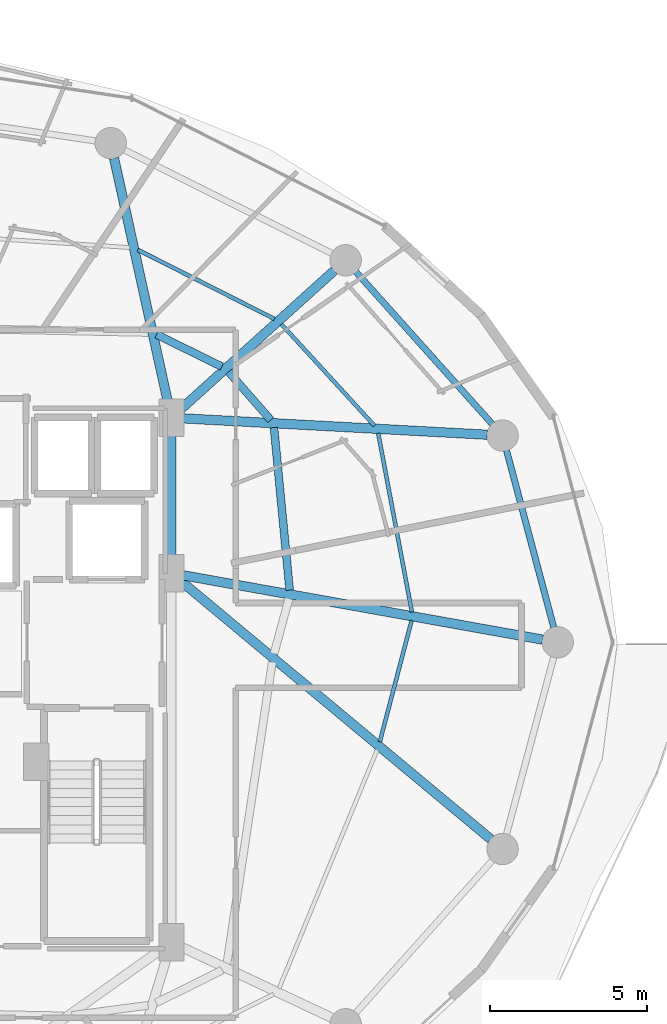
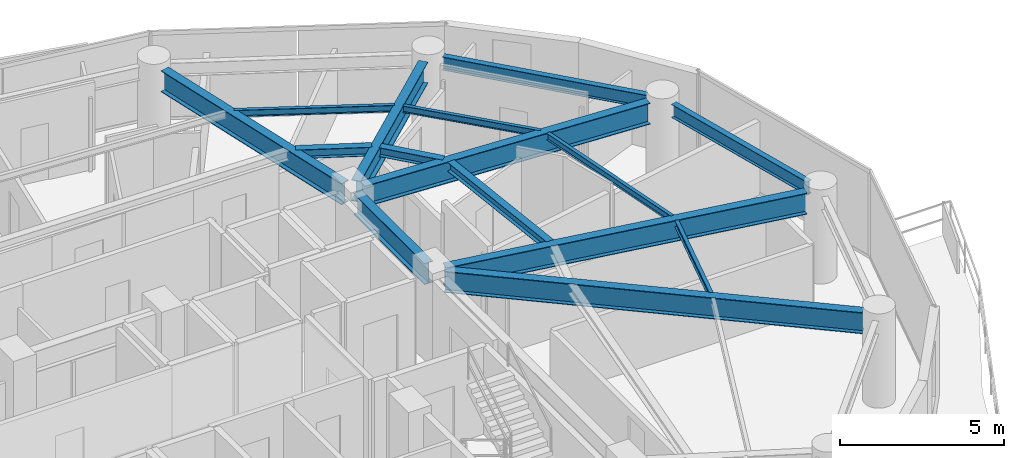
# One storey, part 13 of 29: 15 beams.
"""IFC4 building model written with IfcOpenShell, lengths in metres."""

from ifc_helpers import new_model, si_unit, direction, frame, origin, origin_2d, place, context, subcontext, project, spatial, i_section, extrude, material, material_profile, profile_set, type_object, element, save


model = new_model("IFC4")

# Units and contexts
model_context = context("Model", 3, precision=1e-05, world=origin(), true_north=direction((0.0, 1.0)))
body_context = subcontext(model_context, "Body", "Model", "MODEL_VIEW")
ifc_project = project(units=[si_unit("LENGTHUNIT", "METRE"), si_unit("AREAUNIT", "SQUARE_METRE"), si_unit("VOLUMEUNIT", "CUBIC_METRE"), si_unit("PLANEANGLEUNIT", "RADIAN"), si_unit("MASSUNIT", "GRAM", prefix="KILO")], contexts=[model_context])

# Site, building, storey
site_placement = place(None, origin())
site = spatial("IfcSite", under=ifc_project, at=site_placement, CompositionType="ELEMENT")
building_placement = place(site_placement, origin())
building = spatial("IfcBuilding", under=site, at=building_placement, Name="Vorneva Point Tower", CompositionType="ELEMENT")
storey_placement = place(building_placement, frame((0.0, 0.0, 150.10009765625)))
storey = spatial("IfcBuildingStorey", under=building, at=storey_placement, Name="L40", CompositionType="ELEMENT", Elevation=150.10009765625)

# Beams
ifc_material = material(Name="Steel S355", Category="steel")
ifc_material_profile_1 = material_profile(ifc_material, i_section(OverallWidth=0.300048828125, OverallDepth=0.7880859375, WebThickness=0.014404296875, FlangeThickness=0.02197265625, at=origin_2d()), Name="80Sh1")
ifc_profile_set_1 = profile_set([ifc_material_profile_1], Name="Steel S355")
beam_type_1 = type_object("IfcBeamType", Name="BM-GRD-80Sh1", PredefinedType="USERDEFINED", material=ifc_profile_set_1)
beam_1_placement = place(storey_placement, frame((60.569580078125, 26.0859375, 2.845947265625), z_axis=(-0.984378132756, 0.176067293249, 0.0), x_axis=(-0.176067293249, -0.984378132756, 0.0)))
element("IfcBeam", 1, at=beam_1_placement, inside=storey, type_object=beam_type_1, Name="L40 Radial Primary Girder 01", ObjectType="GIRDER", PredefinedType="USERDEFINED", context=body_context, shape_type="SweptSolid", body=[
    extrude(i_section(OverallWidth=0.300048828125, OverallDepth=0.7880859375, WebThickness=0.014404296875, FlangeThickness=0.02197265625, at=origin_2d()), origin(), (0.0, 0.0, 1.0), 11.667236328125),
])
beam_2_placement = place(storey_placement, frame((58.80810546875, 32.6083984375, 2.845947265625), z_axis=(-0.998554051908, 0.053756910424, 0.0), x_axis=(-0.053756910424, -0.998554051908, 0.0)))
element("IfcBeam", 2, at=beam_2_placement, inside=storey, type_object=beam_type_1, Name="L40 Radial Primary Girder 02", ObjectType="GIRDER", PredefinedType="USERDEFINED", context=body_context, shape_type="SweptSolid", body=[
    extrude(i_section(OverallWidth=0.300048828125, OverallDepth=0.7880859375, WebThickness=0.014404296875, FlangeThickness=0.02197265625, at=origin_2d()), origin(), (0.0, 0.0, 1.0), 9.732666015625),
])
beam_3_placement = place(storey_placement, frame((53.936767578125, 37.835205078125, 2.845947265625), z_axis=(-0.742084379637, -0.670306477292, 0.0), x_axis=(0.670306477292, -0.742084379637, 0.0)))
element("IfcBeam", 3, at=beam_3_placement, inside=storey, type_object=beam_type_1, Name="L40 Radial Primary Girder 03", ObjectType="GIRDER", PredefinedType="USERDEFINED", context=body_context, shape_type="SweptSolid", body=[
    extrude(i_section(OverallWidth=0.300048828125, OverallDepth=0.7880859375, WebThickness=0.014404296875, FlangeThickness=0.02197265625, at=origin_2d()), origin(), (0.0, 0.0, 1.0), 6.649658203125),
])
beam_4_placement = place(storey_placement, frame((46.926025390625, 41.414306640625, 2.845947265625), z_axis=(0.215520500859, -0.976499315775, 0.0), x_axis=(0.976499315775, 0.215520500859, 0.0)))
element("IfcBeam", 4, at=beam_4_placement, inside=storey, type_object=beam_type_1, Name="L40 Radial Primary Girder 04", ObjectType="GIRDER", PredefinedType="USERDEFINED", context=body_context, shape_type="SweptSolid", body=[
    extrude(i_section(OverallWidth=0.300048828125, OverallDepth=0.7880859375, WebThickness=0.014404296875, FlangeThickness=0.02197265625, at=origin_2d()), origin(), (0.0, 0.0, 1.0), 8.123291015625),
])
beam_5_placement = place(storey_placement, frame((58.92041015625, 19.72998046875, 2.845947265625), z_axis=(-0.76841987547, 0.639946009428, 0.0), x_axis=(-0.639946009428, -0.76841987547, 0.0)))
element("IfcBeam", 5, at=beam_5_placement, inside=storey, type_object=beam_type_1, Name="L40 Radial Primary Girder 16", ObjectType="GIRDER", PredefinedType="USERDEFINED", context=body_context, shape_type="SweptSolid", body=[
    extrude(i_section(OverallWidth=0.300048828125, OverallDepth=0.7880859375, WebThickness=0.014404296875, FlangeThickness=0.02197265625, at=origin_2d()), origin(), (0.0, 0.0, 1.0), 12.8955078125),
])
beam_6_placement = place(storey_placement, frame((48.75, 28.52001953125, 2.845947265625), z_axis=(0.0, 1.0, 0.0), x_axis=(-1.0, 0.0, 0.0)))
element("IfcBeam", 6, at=beam_6_placement, inside=storey, type_object=beam_type_1, Name="L40 Core Tie Girder CT4", ObjectType="GIRDER", PredefinedType="USERDEFINED", context=body_context, shape_type="SweptSolid", body=[
    extrude(i_section(OverallWidth=0.300048828125, OverallDepth=0.7880859375, WebThickness=0.014404296875, FlangeThickness=0.02197265625, at=origin_2d()), origin(), (0.0, 0.0, 1.0), 4.31005859375),
])
ifc_material_profile_2 = material_profile(ifc_material, i_section(OverallWidth=0.1240234375, OverallDepth=0.248046875, WebThickness=0.0048828125, FlangeThickness=0.008056640625, at=origin_2d()), Name="25B1")
ifc_profile_set_2 = profile_set([ifc_material_profile_2], Name="Steel S355")
beam_type_2 = type_object("IfcBeamType", Name="BM-JST-25B1", PredefinedType="JOIST", material=ifc_profile_set_2)
beam_7_placement = place(storey_placement, frame((56.409423828125, 26.9609375, 3.115966796875), z_axis=(-0.185233785123, 0.982694481947, 0.0), x_axis=(-0.982694481947, -0.185233785123, 0.0)))
element("IfcBeam", 7, at=beam_7_placement, inside=storey, type_object=beam_type_2, Name="L40 Secondary Floor Beam 1.01", PredefinedType="JOIST", context=body_context, shape_type="SweptSolid", body=[
    extrude(i_section(OverallWidth=0.1240234375, OverallDepth=0.248046875, WebThickness=0.0048828125, FlangeThickness=0.008056640625, at=origin_2d()), origin(), (0.0, 0.0, 1.0), 5.800537109375),
])
beam_8_placement = place(storey_placement, frame((55.216064453125, 32.8984375, 3.115966796875), z_axis=(-0.675865863336, 0.737024650047, 0.0), x_axis=(-0.737024650047, -0.675865863336, 0.0)))
element("IfcBeam", 8, at=beam_8_placement, inside=storey, type_object=beam_type_2, Name="L40 Secondary Floor Beam 1.02", PredefinedType="JOIST", context=body_context, shape_type="SweptSolid", body=[
    extrude(i_section(OverallWidth=0.1240234375, OverallDepth=0.248046875, WebThickness=0.0048828125, FlangeThickness=0.008056640625, at=origin_2d()), origin(), (0.0, 0.0, 1.0), 4.383056640625),
])
beam_9_placement = place(storey_placement, frame((52.037109375, 36.292724609375, 3.115966796875), z_axis=(-0.892388118376, 0.451268707292, 0.0), x_axis=(-0.451268707292, -0.892388118376, 0.0)))
element("IfcBeam", 9, at=beam_9_placement, inside=storey, type_object=beam_type_2, Name="L40 Secondary Floor Beam 1.03", PredefinedType="JOIST", context=body_context, shape_type="SweptSolid", body=[
    extrude(i_section(OverallWidth=0.1240234375, OverallDepth=0.248046875, WebThickness=0.0048828125, FlangeThickness=0.008056640625, at=origin_2d()), origin(), (0.0, 0.0, 1.0), 4.883056640625),
])
beam_10_placement = place(storey_placement, frame((55.38818359375, 22.83447265625, 3.115966796875), z_axis=(0.253697664148, 0.967283565045, 0.0), x_axis=(-0.967283565045, 0.253697664148, 0.0)))
element("IfcBeam", 10, at=beam_10_placement, inside=storey, type_object=beam_type_2, Name="L40 Secondary Floor Beam 1.16", PredefinedType="JOIST", context=body_context, shape_type="SweptSolid", body=[
    extrude(i_section(OverallWidth=0.1240234375, OverallDepth=0.248046875, WebThickness=0.0048828125, FlangeThickness=0.008056640625, at=origin_2d()), origin(), (0.0, 0.0, 1.0), 3.98779296875),
])
ifc_material_profile_3 = material_profile(ifc_material, i_section(OverallWidth=0.2490234375, OverallDepth=0.333984375, WebThickness=0.008056640625, FlangeThickness=0.010986328125, at=origin_2d()), Name="35Sh1")
ifc_profile_set_3 = profile_set([ifc_material_profile_3], Name="Steel S355")
beam_type_3 = type_object("IfcBeamType", Name="BM-SEC-35Sh1", PredefinedType="BEAM", material=ifc_profile_set_3)
beam_11_placement = place(storey_placement, frame((52.516845703125, 27.6611328125, 3.072998046875), z_axis=(-0.095868061976, 0.995394049959, 0.0), x_axis=(-0.995394049959, -0.095868061976, 0.0)))
element("IfcBeam", 11, at=beam_11_placement, inside=storey, type_object=beam_type_3, Name="L40 Secondary Floor Beam 2.01", PredefinedType="BEAM", context=body_context, shape_type="SweptSolid", body=[
    extrude(i_section(OverallWidth=0.2490234375, OverallDepth=0.333984375, WebThickness=0.008056640625, FlangeThickness=0.010986328125, at=origin_2d()), origin(), (0.0, 0.0, 1.0), 5.2001953125),
])
beam_12_placement = place(storey_placement, frame((51.914306640625, 33.07861328125, 3.072998046875), z_axis=(-0.658479142456, 0.752598976182, 0.0), x_axis=(-0.752598976182, -0.658479142456, 0.0)))
element("IfcBeam", 12, at=beam_12_placement, inside=storey, type_object=beam_type_3, Name="L40 Secondary Floor Beam 2.02", PredefinedType="BEAM", context=body_context, shape_type="SweptSolid", body=[
    extrude(i_section(OverallWidth=0.2490234375, OverallDepth=0.333984375, WebThickness=0.008056640625, FlangeThickness=0.010986328125, at=origin_2d()), origin(), (0.0, 0.0, 1.0), 2.0361328125),
])
beam_13_placement = place(storey_placement, frame((50.35888671875, 34.77587890625, 3.072998046875), z_axis=(-0.897310370884, 0.441400156664, 0.0), x_axis=(-0.441400156664, -0.897310370884, 0.0)))
element("IfcBeam", 13, at=beam_13_placement, inside=storey, type_object=beam_type_3, Name="L40 Secondary Floor Beam 2.03", PredefinedType="BEAM", context=body_context, shape_type="SweptSolid", body=[
    extrude(i_section(OverallWidth=0.2490234375, OverallDepth=0.333984375, WebThickness=0.008056640625, FlangeThickness=0.010986328125, at=origin_2d()), origin(), (0.0, 0.0, 1.0), 2.322021484375),
])
ifc_material_profile_4 = material_profile(ifc_material, i_section(OverallWidth=0.199951171875, OverallDepth=0.491943359375, WebThickness=0.0087890625, FlangeThickness=0.011962890625, at=origin_2d()), Name="50B1")
ifc_profile_set_4 = profile_set([ifc_material_profile_4], Name="Steel S355")
beam_type_4 = type_object("IfcBeamType", Name="BM-SPN-50B1", PredefinedType="SPANDREL", material=ifc_profile_set_4)
beam_14_placement = place(storey_placement, frame((60.925048828125, 26.468505859375, 2.993896484375), z_axis=(-0.257550804648, 0.966264758245, 0.0), x_axis=(-0.966264758245, -0.257550804648, 0.0)))
element("IfcBeam", 14, at=beam_14_placement, inside=storey, type_object=beam_type_4, Name="L40 Perimeter Spandrel Ring Beam 01", PredefinedType="SPANDREL", context=body_context, shape_type="SweptSolid", body=[
    extrude(i_section(OverallWidth=0.199951171875, OverallDepth=0.491943359375, WebThickness=0.0087890625, FlangeThickness=0.011962890625, at=origin_2d()), origin(), (0.0, 0.0, 1.0), 5.842041015625),
])
beam_15_placement = place(storey_placement, frame((58.971923828125, 32.943603515625, 2.993896484375), z_axis=(-0.667111118975, 0.74495822362, 0.0), x_axis=(-0.74495822362, -0.667111118975, 0.0)))
element("IfcBeam", 15, at=beam_15_placement, inside=storey, type_object=beam_type_4, Name="L40 Perimeter Spandrel Ring Beam 02", PredefinedType="SPANDREL", context=body_context, shape_type="SweptSolid", body=[
    extrude(i_section(OverallWidth=0.199951171875, OverallDepth=0.491943359375, WebThickness=0.0087890625, FlangeThickness=0.011962890625, at=origin_2d()), origin(), (0.0, 0.0, 1.0), 6.52001953125),
])

save(model, "model.ifc")
